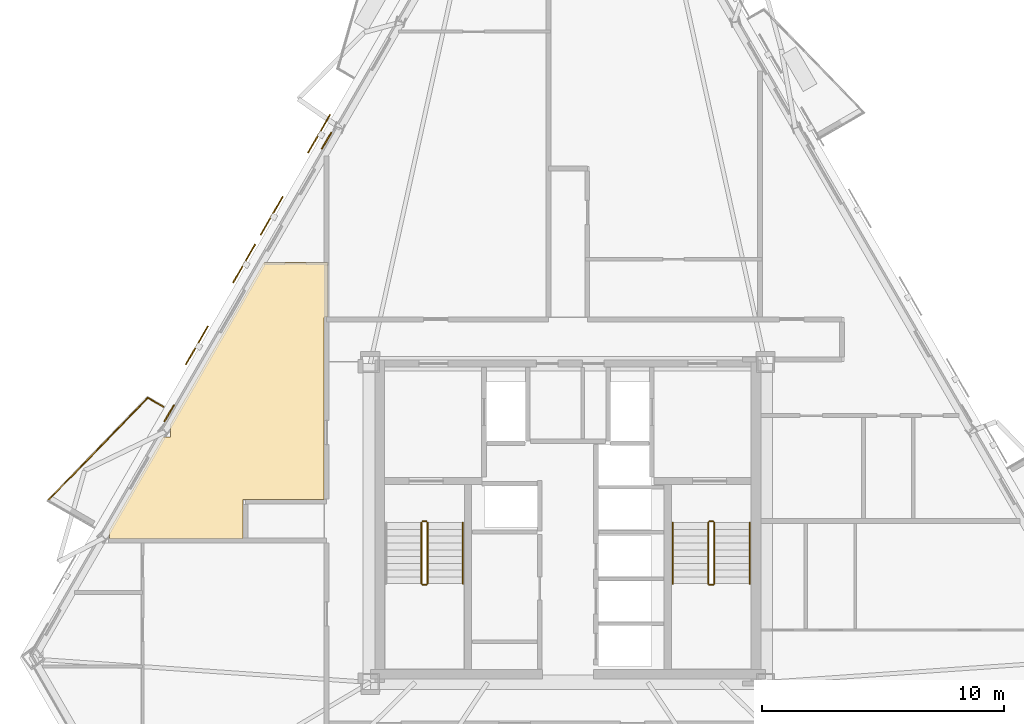
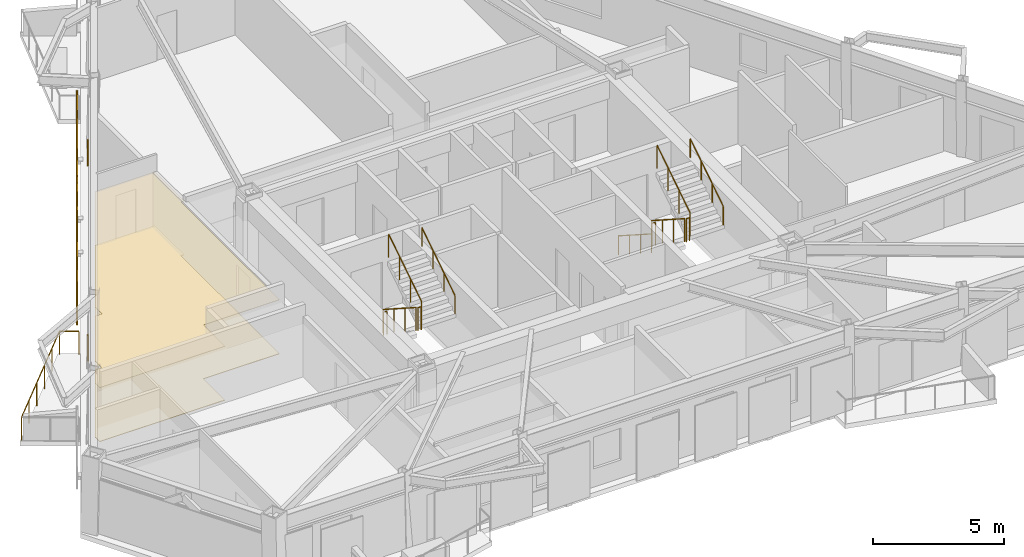
# One storey, part 9 of 10: 13 railings, 4 coverings, 4 shading devices.
"""IFC4 building model written with IfcOpenShell, lengths in metres."""

from ifc_helpers import new_model, si_unit, direction, frame, origin, origin_2d, place, context, subcontext, project, spatial, polyline, rectangle, circle, outline, extrude, material, layer, layer_set, type_object, element, save


model = new_model("IFC4")

# Units and contexts
model_context = context("Model", 3, precision=1e-05, world=origin(), true_north=direction((0.0, 1.0)))
body_context = subcontext(model_context, "Body", "Model", "MODEL_VIEW")
ifc_project = project(units=[si_unit("LENGTHUNIT", "METRE"), si_unit("AREAUNIT", "SQUARE_METRE"), si_unit("VOLUMEUNIT", "CUBIC_METRE"), si_unit("PLANEANGLEUNIT", "RADIAN"), si_unit("MASSUNIT", "GRAM", prefix="KILO")], contexts=[model_context])

# Site, building, storey
site_placement = place(None, origin())
site = spatial("IfcSite", under=ifc_project, at=site_placement, CompositionType="ELEMENT")
building_placement = place(site_placement, origin())
building = spatial("IfcBuilding", under=site, at=building_placement, Name="Oramaril Tower", CompositionType="ELEMENT")
storey_placement = place(building_placement, frame((0.0, 0.0, 181.800048828125)))
storey = spatial("IfcBuildingStorey", under=building, at=storey_placement, Name="L48", CompositionType="ELEMENT", Elevation=181.800048828125)

# Coverings
ifc_material_1 = material(Name="Mineral Fibre Acoustic Ceiling")
ifc_layer_1 = layer(ifc_material_1, 0.02001953125)
ifc_layer_set_1 = layer_set([ifc_layer_1], Name="CVT-CEIL")
covering_type_1 = type_object("IfcCoveringType", Name="CVT-CEIL", PredefinedType="CEILING", material=ifc_layer_set_1)
covering_1_placement = place(storey_placement, frame((0.0, 0.0, 2.511962890625)))
element("IfcCovering", 1, at=covering_1_placement, inside=storey, type_object=covering_type_1, Name="L48 Acoustic Suspended Ceiling 16", PredefinedType="CEILING", context=body_context, shape_type="SweptSolid", body=[
    extrude(outline(polyline([(18.590087890625, 17.239013671875), (18.5703125, 17.239013671875), (20.81396484375, 21.125), (21.117919921875, 21.125), (21.117919921875, 21.6103515625), (21.093994140625, 21.6103515625), (24.962158203125, 28.31005859375), (27.592041015625, 28.31005859375), (27.592041015625, 26.070068359375), (27.469970703125, 26.070068359375), (27.468017578125, 26.06982421875), (27.466064453125, 26.069580078125), (27.464111328125, 26.069091796875), (27.46240234375, 26.068603515625), (27.460693359375, 26.067626953125), (27.458984375, 26.066650390625), (27.457275390625, 26.0654296875), (27.455810546875, 26.064208984375), (27.45458984375, 26.062744140625), (27.453369140625, 26.06103515625), (27.452392578125, 26.059326171875), (27.451416015625, 26.0576171875), (27.450927734375, 26.055908203125), (27.450439453125, 26.053955078125), (27.4501953125, 26.052001953125), (27.449951171875, 26.050048828125), (27.449951171875, 24.239990234375), (27.4501953125, 24.238037109375), (27.450439453125, 24.236083984375), (27.450927734375, 24.234130859375), (27.451416015625, 24.232421875), (27.452392578125, 24.230712890625), (27.45263671875, 24.22998046875), (27.452392578125, 24.2294921875), (27.451416015625, 24.227783203125), (27.450927734375, 24.225830078125), (27.450439453125, 24.223876953125), (27.4501953125, 24.221923828125), (27.449951171875, 24.219970703125), (27.449951171875, 18.550048828125), (24.1201171875, 18.550048828125), (24.117919921875, 18.5498046875), (24.1162109375, 18.549560546875), (24.1142578125, 18.549072265625), (24.1123046875, 18.548583984375), (24.110595703125, 18.547607421875), (24.10888671875, 18.546630859375), (24.107421875, 18.54541015625), (24.10595703125, 18.544189453125), (24.1044921875, 18.542724609375), (24.103515625, 18.541015625), (24.102294921875, 18.539306640625), (24.1015625, 18.53759765625), (24.100830078125, 18.535888671875), (24.100341796875, 18.533935546875), (24.10009765625, 18.531982421875), (24.10009765625, 18.530029296875), (24.10009765625, 16.912109375), (19.915771484375, 16.912109375), (19.913818359375, 16.911865234375), (19.911865234375, 16.91162109375), (19.909912109375, 16.9111328125), (19.908203125, 16.910400390625), (19.906494140625, 16.90966796875), (19.90576171875, 16.9091796875), (19.9052734375, 16.90966796875), (19.903564453125, 16.910400390625), (19.901611328125, 16.9111328125), (19.899658203125, 16.91162109375), (19.897705078125, 16.911865234375), (19.895751953125, 16.912109375), (18.590087890625, 16.912109375), (18.590087890625, 17.239013671875)])), origin(), (0.0, 0.0, 1.0), 0.02001953125),
])
ifc_material_2 = material(Name="Warm Cream Limestone", Category="masonry")
ifc_layer_2 = layer(ifc_material_2, 0.050048828125)
ifc_layer_set_2 = layer_set([ifc_layer_2], Name="CVT-CLD")
covering_type_2 = type_object("IfcCoveringType", Name="CVT-CLD", PredefinedType="CLADDING", material=ifc_layer_set_2)
for number, where, z_axis, x_axis, name in (
    (2, (27.54736328125, 33.33984375, 0.0400390625), (0.0, 0.0, 1.0), (-0.5, -0.866025403784, 0.0), "L48 Warm Cream Limestone Spandrel Cladding"),
    (3, (21.0576171875, 22.099365234375, 0.0400390625), (0.0, 0.0, 1.0), (-0.5, -0.866025403784, 0.0), "L48 Warm Cream Limestone Spandrel Cladding"),
):
    element("IfcCovering", number, at=place(storey_placement, frame(where, z_axis=z_axis, x_axis=x_axis)), inside=storey, type_object=covering_type_2, Name=name, PredefinedType="CLADDING", context=body_context, shape_type="SweptSolid", body=[
        extrude(rectangle(XDim=0.800048828125, YDim=0.050048828125, at=origin_2d()), origin(), (0.0, 0.0, 1.0), 0.679931640625),
    ])
ifc_material_3 = material(Name="Honed Quartzite Stone Flooring", Category="masonry")
ifc_layer_3 = layer(ifc_material_3, 0.02490234375)
ifc_layer_set_3 = layer_set([ifc_layer_3], Name="CVT-FLR")
covering_type_3 = type_object("IfcCoveringType", Name="CVT-FLR", PredefinedType="FLOORING", material=ifc_layer_set_3)
covering_2_placement = place(storey_placement, origin())
element("IfcCovering", 4, at=covering_2_placement, inside=storey, type_object=covering_type_3, Name="L48 Honed Stone Floor Finish 16", PredefinedType="FLOORING", context=body_context, shape_type="SweptSolid", body=[
    extrude(outline(polyline([(18.590087890625, 17.239013671875), (18.5703125, 17.239013671875), (20.81396484375, 21.125), (21.117919921875, 21.125), (21.117919921875, 21.6103515625), (21.093994140625, 21.6103515625), (24.962158203125, 28.31005859375), (27.592041015625, 28.31005859375), (27.592041015625, 26.070068359375), (27.469970703125, 26.070068359375), (27.468017578125, 26.06982421875), (27.466064453125, 26.069580078125), (27.464111328125, 26.069091796875), (27.46240234375, 26.068603515625), (27.460693359375, 26.067626953125), (27.458984375, 26.066650390625), (27.457275390625, 26.0654296875), (27.455810546875, 26.064208984375), (27.45458984375, 26.062744140625), (27.453369140625, 26.06103515625), (27.452392578125, 26.059326171875), (27.451416015625, 26.0576171875), (27.450927734375, 26.055908203125), (27.450439453125, 26.053955078125), (27.4501953125, 26.052001953125), (27.449951171875, 26.050048828125), (27.449951171875, 24.239990234375), (27.4501953125, 24.238037109375), (27.450439453125, 24.236083984375), (27.450927734375, 24.234130859375), (27.451416015625, 24.232421875), (27.452392578125, 24.230712890625), (27.45263671875, 24.22998046875), (27.452392578125, 24.2294921875), (27.451416015625, 24.227783203125), (27.450927734375, 24.225830078125), (27.450439453125, 24.223876953125), (27.4501953125, 24.221923828125), (27.449951171875, 24.219970703125), (27.449951171875, 18.550048828125), (24.1201171875, 18.550048828125), (24.117919921875, 18.5498046875), (24.1162109375, 18.549560546875), (24.1142578125, 18.549072265625), (24.1123046875, 18.548583984375), (24.110595703125, 18.547607421875), (24.10888671875, 18.546630859375), (24.107421875, 18.54541015625), (24.10595703125, 18.544189453125), (24.1044921875, 18.542724609375), (24.103515625, 18.541015625), (24.102294921875, 18.539306640625), (24.1015625, 18.53759765625), (24.100830078125, 18.535888671875), (24.100341796875, 18.533935546875), (24.10009765625, 18.531982421875), (24.10009765625, 18.530029296875), (24.10009765625, 16.912109375), (19.915771484375, 16.912109375), (19.913818359375, 16.911865234375), (19.911865234375, 16.91162109375), (19.909912109375, 16.9111328125), (19.908203125, 16.910400390625), (19.906494140625, 16.90966796875), (19.90576171875, 16.9091796875), (19.9052734375, 16.90966796875), (19.903564453125, 16.910400390625), (19.901611328125, 16.9111328125), (19.899658203125, 16.91162109375), (19.897705078125, 16.911865234375), (19.895751953125, 16.912109375), (18.590087890625, 16.912109375), (18.590087890625, 17.239013671875)])), origin(), (0.0, 0.0, 1.0), 0.02490234375),
])

# Railings
ifc_material_4 = material(Name="Stainless Steel 316L", Category="steel")
railing_type_1 = type_object("IfcRailingType", Name="RLT-GRD", PredefinedType="GUARDRAIL", material=ifc_material_4)
railing_1_placement = place(storey_placement, frame((16.055908203125, 18.500244140625, 0.0)))
element("IfcRailing", 5, at=railing_1_placement, inside=storey, type_object=railing_type_1, Name="L48 Balcony Guardrail L48-BAL-NW2.2", PredefinedType="GUARDRAIL", context=body_context, shape_type="SweptSolid", body=[
    extrude(circle(Radius=0.02392578125, at=origin_2d()), frame((0.0, 0.0, 1.076171875), z_axis=(0.697186915353, 0.716889395277, 0.0), x_axis=(-0.716889395277, 0.697186915353, 0.0)), (0.0, 0.0, 1.0), 5.91064453125),
    extrude(circle(Radius=0.02099609375, at=origin_2d()), origin(), (0.0, 0.0, 1.0), 1.052001953125),
    extrude(circle(Radius=0.02099609375, at=origin_2d()), frame((0.82421875, 0.847412109375, 0.0)), (0.0, 0.0, 1.0), 1.052001953125),
    extrude(circle(Radius=0.02099609375, at=origin_2d()), frame((1.6484375, 1.69482421875, 0.0)), (0.0, 0.0, 1.0), 1.052001953125),
    extrude(circle(Radius=0.02099609375, at=origin_2d()), frame((2.472412109375, 2.54248046875, 0.0)), (0.0, 0.0, 1.0), 1.052001953125),
    extrude(circle(Radius=0.02099609375, at=origin_2d()), frame((3.296630859375, 3.389892578125, 0.0)), (0.0, 0.0, 1.0), 1.052001953125),
    extrude(circle(Radius=0.02099609375, at=origin_2d()), frame((4.120849609375, 4.2373046875, 0.0)), (0.0, 0.0, 1.0), 1.052001953125),
])
railing_2_placement = place(storey_placement, frame((20.1767578125, 22.737548828125, 0.0)))
element("IfcRailing", 6, at=railing_2_placement, inside=storey, type_object=railing_type_1, Name="L48 Balcony Guardrail L48-BAL-NW2.3", PredefinedType="GUARDRAIL", context=body_context, shape_type="SweptSolid", body=[
    extrude(circle(Radius=0.02392578125, at=origin_2d()), frame((0.0, 0.0, 1.076171875), z_axis=(0.865966403178, -0.500102178127, 0.0), x_axis=(0.500102178127, 0.865966403178, 0.0)), (0.0, 0.0, 1.0), 0.741943359375),
    extrude(circle(Radius=0.02099609375, at=origin_2d()), origin(), (0.0, 0.0, 1.0), 1.052001953125),
    extrude(circle(Radius=0.02099609375, at=origin_2d()), frame((0.642578125, -0.37109375, 0.0)), (0.0, 0.0, 1.0), 1.052001953125),
])
railing_3_placement = place(storey_placement, frame((31.4599609375, 17.590087890625, 0.179931640625)))
element("IfcRailing", 7, at=railing_3_placement, inside=storey, type_object=railing_type_1, Name="L48 ST-1 stair guard 1", PredefinedType="GUARDRAIL", context=body_context, shape_type="SweptSolid", body=[
    extrude(circle(Radius=0.02392578125, at=origin_2d()), frame((0.0, 0.0, 1.076171875), z_axis=(0.0, -0.841162588446, 0.540782303519), x_axis=(1.0, 0.0, 0.0)), (0.0, 0.0, 1.0), 2.995849609375),
    extrude(circle(Radius=0.02099609375, at=origin_2d()), origin(), (0.0, 0.0, 1.0), 1.052001953125),
    extrude(circle(Radius=0.02099609375, at=origin_2d()), frame((0.0, -0.840087890625, 0.5400390625)), (0.0, 0.0, 1.0), 1.052001953125),
    extrude(circle(Radius=0.02099609375, at=origin_2d()), frame((0.0, -1.679931640625, 1.080078125)), (0.0, 0.0, 1.0), 1.052001953125),
    extrude(circle(Radius=0.02099609375, at=origin_2d()), frame((0.0, -2.52001953125, 1.6201171875)), (0.0, 0.0, 1.0), 1.052001953125),
])
railing_4_placement = place(storey_placement, frame((31.510009765625, 15.02001953125, 1.800048828125)))
element("IfcRailing", 8, at=railing_4_placement, inside=storey, type_object=railing_type_1, Name="L48 ST-1 stair guard 2", PredefinedType="GUARDRAIL", context=body_context, shape_type="SweptSolid", body=[
    extrude(circle(Radius=0.02392578125, at=origin_2d()), frame((0.0, 0.0, 1.076171875), z_axis=(1.0, 0.0, 0.0), x_axis=(0.0, 1.0, 0.0)), (0.0, 0.0, 1.0), 0.14990234375),
    extrude(circle(Radius=0.02099609375, at=origin_2d()), origin(), (0.0, 0.0, 1.0), 1.052001953125),
    extrude(circle(Radius=0.02099609375, at=origin_2d()), frame((0.14990234375, 0.0, 0.0)), (0.0, 0.0, 1.0), 1.052001953125),
])
railing_5_placement = place(storey_placement, frame((31.7099609375, 15.070068359375, 1.97998046875)))
element("IfcRailing", 9, at=railing_5_placement, inside=storey, type_object=railing_type_1, Name="L48 ST-1 stair guard 3", PredefinedType="GUARDRAIL", context=body_context, shape_type="SweptSolid", body=[
    extrude(circle(Radius=0.02392578125, at=origin_2d()), frame((0.0, 0.0, 1.076171875), z_axis=(0.0, 0.841199657755, 0.540724639528), x_axis=(-1.0, 0.0, 0.0)), (0.0, 0.0, 1.0), 2.995849609375),
    extrude(circle(Radius=0.02099609375, at=origin_2d()), origin(), (0.0, 0.0, 1.0), 1.052001953125),
    extrude(circle(Radius=0.02099609375, at=origin_2d()), frame((0.0, 0.840087890625, 0.5400390625)), (0.0, 0.0, 1.0), 1.052001953125),
    extrude(circle(Radius=0.02099609375, at=origin_2d()), frame((0.0, 1.679931640625, 1.079833984375)), (0.0, 0.0, 1.0), 1.052001953125),
    extrude(circle(Radius=0.02099609375, at=origin_2d()), frame((0.0, 2.52001953125, 1.619873046875)), (0.0, 0.0, 1.0), 1.052001953125),
])
railing_6_placement = place(storey_placement, frame((31.510009765625, 17.639892578125, 0.0)))
element("IfcRailing", 10, at=railing_6_placement, inside=storey, type_object=railing_type_1, Name="L48 ST-1 stair guard 4", PredefinedType="GUARDRAIL", context=body_context, shape_type="SweptSolid", body=[
    extrude(circle(Radius=0.02392578125, at=origin_2d()), frame((0.0, 0.0, 1.076171875), z_axis=(1.0, 0.0, 0.0), x_axis=(0.0, 1.0, 0.0)), (0.0, 0.0, 1.0), 0.14990234375),
    extrude(circle(Radius=0.02099609375, at=origin_2d()), origin(), (0.0, 0.0, 1.0), 1.052001953125),
    extrude(circle(Radius=0.02099609375, at=origin_2d()), frame((0.14990234375, 0.0, 0.0)), (0.0, 0.0, 1.0), 1.052001953125),
])
railing_7_placement = place(storey_placement, frame((43.2900390625, 17.590087890625, 0.179931640625)))
element("IfcRailing", 11, at=railing_7_placement, inside=storey, type_object=railing_type_1, Name="L48 ST-2 stair guard 1", PredefinedType="GUARDRAIL", context=body_context, shape_type="SweptSolid", body=[
    extrude(circle(Radius=0.02392578125, at=origin_2d()), frame((0.0, 0.0, 1.076171875), z_axis=(0.0, -0.841162588446, 0.540782303519), x_axis=(1.0, 0.0, 0.0)), (0.0, 0.0, 1.0), 2.995849609375),
    extrude(circle(Radius=0.02099609375, at=origin_2d()), origin(), (0.0, 0.0, 1.0), 1.052001953125),
    extrude(circle(Radius=0.02099609375, at=origin_2d()), frame((0.0, -0.840087890625, 0.5400390625)), (0.0, 0.0, 1.0), 1.052001953125),
    extrude(circle(Radius=0.02099609375, at=origin_2d()), frame((0.0, -1.679931640625, 1.080078125)), (0.0, 0.0, 1.0), 1.052001953125),
    extrude(circle(Radius=0.02099609375, at=origin_2d()), frame((0.0, -2.52001953125, 1.6201171875)), (0.0, 0.0, 1.0), 1.052001953125),
])
railing_8_placement = place(storey_placement, frame((43.340087890625, 15.02001953125, 1.800048828125)))
element("IfcRailing", 12, at=railing_8_placement, inside=storey, type_object=railing_type_1, Name="L48 ST-2 stair guard 2", PredefinedType="GUARDRAIL", context=body_context, shape_type="SweptSolid", body=[
    extrude(circle(Radius=0.02392578125, at=origin_2d()), frame((0.0, 0.0, 1.076171875), z_axis=(1.0, 0.0, 0.0), x_axis=(0.0, 1.0, 0.0)), (0.0, 0.0, 1.0), 0.14990234375),
    extrude(circle(Radius=0.02099609375, at=origin_2d()), origin(), (0.0, 0.0, 1.0), 1.052001953125),
    extrude(circle(Radius=0.02099609375, at=origin_2d()), frame((0.14990234375, 0.0, 0.0)), (0.0, 0.0, 1.0), 1.052001953125),
])
railing_9_placement = place(storey_placement, frame((43.5400390625, 15.070068359375, 1.97998046875)))
element("IfcRailing", 13, at=railing_9_placement, inside=storey, type_object=railing_type_1, Name="L48 ST-2 stair guard 3", PredefinedType="GUARDRAIL", context=body_context, shape_type="SweptSolid", body=[
    extrude(circle(Radius=0.02392578125, at=origin_2d()), frame((0.0, 0.0, 1.076171875), z_axis=(0.0, 0.841199657755, 0.540724639528), x_axis=(-1.0, 0.0, 0.0)), (0.0, 0.0, 1.0), 2.995849609375),
    extrude(circle(Radius=0.02099609375, at=origin_2d()), origin(), (0.0, 0.0, 1.0), 1.052001953125),
    extrude(circle(Radius=0.02099609375, at=origin_2d()), frame((0.0, 0.840087890625, 0.5400390625)), (0.0, 0.0, 1.0), 1.052001953125),
    extrude(circle(Radius=0.02099609375, at=origin_2d()), frame((0.0, 1.679931640625, 1.079833984375)), (0.0, 0.0, 1.0), 1.052001953125),
    extrude(circle(Radius=0.02099609375, at=origin_2d()), frame((0.0, 2.52001953125, 1.619873046875)), (0.0, 0.0, 1.0), 1.052001953125),
])
railing_10_placement = place(storey_placement, frame((43.340087890625, 17.639892578125, 0.0)))
element("IfcRailing", 14, at=railing_10_placement, inside=storey, type_object=railing_type_1, Name="L48 ST-2 stair guard 4", PredefinedType="GUARDRAIL", context=body_context, shape_type="SweptSolid", body=[
    extrude(circle(Radius=0.02392578125, at=origin_2d()), frame((0.0, 0.0, 1.076171875), z_axis=(1.0, 0.0, 0.0), x_axis=(0.0, 1.0, 0.0)), (0.0, 0.0, 1.0), 0.14990234375),
    extrude(circle(Radius=0.02099609375, at=origin_2d()), origin(), (0.0, 0.0, 1.0), 1.052001953125),
    extrude(circle(Radius=0.02099609375, at=origin_2d()), frame((0.14990234375, 0.0, 0.0)), (0.0, 0.0, 1.0), 1.052001953125),
])
ifc_material_5 = material(Name="Stainless Steel 316L", Category="steel")
railing_type_2 = type_object("IfcRailingType", Name="RLT-HND", PredefinedType="HANDRAIL", material=ifc_material_5)
railing_11_placement = place(storey_placement, frame((33.169921875, 15.070068359375, 1.97998046875)))
element("IfcRailing", 15, at=railing_11_placement, inside=storey, type_object=railing_type_2, Name="L48 ST-1 stair handrail 2", PredefinedType="HANDRAIL", context=body_context, shape_type="SweptSolid", body=[
    extrude(circle(Radius=0.02392578125, at=origin_2d()), frame((0.0, 0.0, 0.8759765625), z_axis=(0.0, 0.841199657755, 0.540724639528), x_axis=(-1.0, 0.0, 0.0)), (0.0, 0.0, 1.0), 2.995849609375),
    extrude(circle(Radius=0.02099609375, at=origin_2d()), origin(), (0.0, 0.0, 1.0), 0.851806640625),
    extrude(circle(Radius=0.02099609375, at=origin_2d()), frame((0.0, 0.840087890625, 0.5400390625)), (0.0, 0.0, 1.0), 0.851806640625),
    extrude(circle(Radius=0.02099609375, at=origin_2d()), frame((0.0, 1.679931640625, 1.079833984375)), (0.0, 0.0, 1.0), 0.851806640625),
    extrude(circle(Radius=0.02099609375, at=origin_2d()), frame((0.0, 2.52001953125, 1.619873046875)), (0.0, 0.0, 1.0), 0.851806640625),
])
railing_12_placement = place(storey_placement, frame((41.830078125, 17.590087890625, 0.179931640625)))
element("IfcRailing", 16, at=railing_12_placement, inside=storey, type_object=railing_type_2, Name="L48 ST-2 stair handrail 1", PredefinedType="HANDRAIL", context=body_context, shape_type="SweptSolid", body=[
    extrude(circle(Radius=0.02392578125, at=origin_2d()), frame((0.0, 0.0, 0.8759765625), z_axis=(0.0, -0.841162588446, 0.540782303519), x_axis=(1.0, 0.0, 0.0)), (0.0, 0.0, 1.0), 2.995849609375),
    extrude(circle(Radius=0.02099609375, at=origin_2d()), origin(), (0.0, 0.0, 1.0), 0.851806640625),
    extrude(circle(Radius=0.02099609375, at=origin_2d()), frame((0.0, -0.840087890625, 0.5400390625)), (0.0, 0.0, 1.0), 0.851806640625),
    extrude(circle(Radius=0.02099609375, at=origin_2d()), frame((0.0, -1.679931640625, 1.080078125)), (0.0, 0.0, 1.0), 0.851806640625),
    extrude(circle(Radius=0.02099609375, at=origin_2d()), frame((0.0, -2.52001953125, 1.6201171875)), (0.0, 0.0, 1.0), 0.851806640625),
])
railing_13_placement = place(storey_placement, frame((45.0, 15.070068359375, 1.97998046875)))
element("IfcRailing", 17, at=railing_13_placement, inside=storey, type_object=railing_type_2, Name="L48 ST-2 stair handrail 2", PredefinedType="HANDRAIL", context=body_context, shape_type="SweptSolid", body=[
    extrude(circle(Radius=0.02392578125, at=origin_2d()), frame((0.0, 0.0, 0.8759765625), z_axis=(0.0, 0.841199657755, 0.540724639528), x_axis=(-1.0, 0.0, 0.0)), (0.0, 0.0, 1.0), 2.995849609375),
    extrude(circle(Radius=0.02099609375, at=origin_2d()), origin(), (0.0, 0.0, 1.0), 0.851806640625),
    extrude(circle(Radius=0.02099609375, at=origin_2d()), frame((0.0, 0.840087890625, 0.5400390625)), (0.0, 0.0, 1.0), 0.851806640625),
    extrude(circle(Radius=0.02099609375, at=origin_2d()), frame((0.0, 1.679931640625, 1.079833984375)), (0.0, 0.0, 1.0), 0.851806640625),
    extrude(circle(Radius=0.02099609375, at=origin_2d()), frame((0.0, 2.52001953125, 1.619873046875)), (0.0, 0.0, 1.0), 0.851806640625),
])

# Shading devices
for number, where, z_axis, x_axis, name in (
    (18, (24.149169921875, 28.27783203125, -0.02001953125), (0.0, 0.0, 1.0), (-0.5, -0.866025403784, 0.0), "L48 Perforated Ceramic Solar Screen"),
    (19, (22.19921875, 24.900390625, -0.02001953125), (0.0, 0.0, 1.0), (-0.5, -0.866025403784, 0.0), "L48 Perforated Ceramic Solar Screen"),
    (20, (27.237060546875, 33.626220703125, -0.02001953125), (0.0, 0.0, 1.0), (-0.5, -0.866025403784, 0.0), "L48 Perforated Ceramic Solar Screen"),
    (21, (25.287109375, 30.248779296875, -0.02001953125), (0.0, 0.0, 1.0), (-0.5, -0.866025403784, 0.0), "L48 Perforated Ceramic Solar Screen"),
):
    element("IfcShadingDevice", number, at=place(storey_placement, frame(where, z_axis=z_axis, x_axis=x_axis)), inside=storey, Name=name, ObjectType="SCREEN", PredefinedType="USERDEFINED", context=body_context, shape_type="SweptSolid", body=[
        extrude(rectangle(XDim=1.8330078125, YDim=0.050048828125, at=origin_2d()), origin(), (0.0, 0.0, 1.0), 2.60009765625),
    ])

save(model, "model.ifc")
